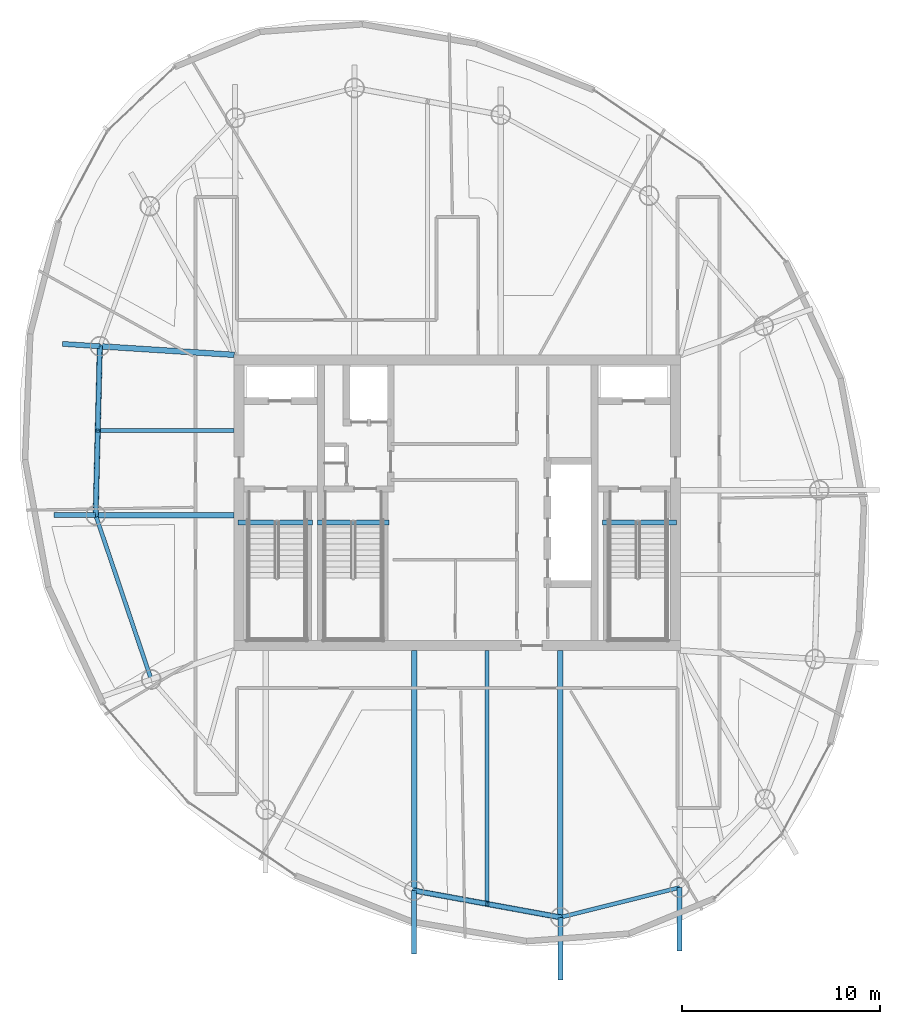
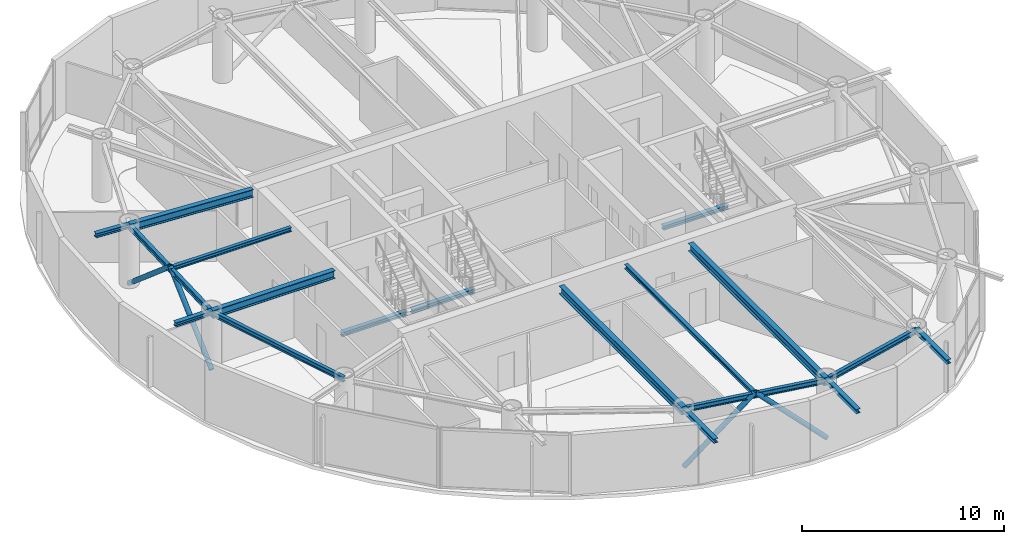
# One storey, part 4 of 16: 18 beams, 4 members.
"""IFC4 building model written with IfcOpenShell, lengths in metres."""

import ifcopenshell
import ifcopenshell.guid

model = None  # the IFC model being written
_history = None  # IfcOwnerHistory: only IFC2X3 demands one
_inside = {}  # id of a spatial element -> (the spatial element, [elements in it])
_under = {}  # id of a project, library or spatial element -> (it, [spatial elements below it])
_declared = {}  # id of a project -> (the project, [libraries it declares])
_typed = {}  # id of a type object -> (the type object, [elements of that type])
_made_of = {}  # id of a material, layer set ... -> (it, [elements and type objects made of it])


def new_model(schema):
    """Start an empty IFC model of exactly this schema.

    Asked for "IFC4X3", IfcOpenShell would pick the latest addendum, in which some entities
    have other attributes; the version numbers below select the first issue.
    IFC2X3 requires an IfcOwnerHistory on every rooted entity: one is made here for all.
    """
    global model, _history
    if schema == "IFC4X3":
        model = ifcopenshell.file(schema_version=(4, 3, 0, 0))
    else:
        model = ifcopenshell.file(schema=schema)
    _inside.clear()
    _under.clear()
    _declared.clear()
    _typed.clear()
    _made_of.clear()
    _history = None
    if model.schema == "IFC2X3":
        org = make("IfcOrganization", Name="unknown")
        user = make(
            "IfcPersonAndOrganization",
            ThePerson=make("IfcPerson", FamilyName="unknown"),
            TheOrganization=org,
        )
        app = make(
            "IfcApplication",
            ApplicationDeveloper=org,
            Version="unknown",
            ApplicationFullName="unknown",
            ApplicationIdentifier="unknown",
        )
        _history = make(
            "IfcOwnerHistory",
            OwningUser=user,
            OwningApplication=app,
            ChangeAction="ADDED",
            CreationDate=0,
        )
    return model


def make(cls, **values):
    """One entity of the class cls with the attributes given. An attribute that is None is left unset."""
    return model.create_entity(
        cls, **{name: value for name, value in values.items() if value is not None}
    )


def rooted(cls, **values):
    """An entity with a GlobalId (a new one), such as an element, a storey or a relation."""
    return make(cls, GlobalId=ifcopenshell.guid.new(), OwnerHistory=_history, **values)


def si_unit(unit_type, name, prefix=None):
    """IfcSIUnit, for example si_unit("LENGTHUNIT", "METRE", prefix="MILLI")."""
    return make("IfcSIUnit", UnitType=unit_type, Prefix=prefix, Name=name)


def assignment(units):
    """IfcUnitAssignment: the units of a project."""
    return None if units is None else make("IfcUnitAssignment", Units=units)


def point(xyz):
    """IfcCartesianPoint."""
    return None if xyz is None else make("IfcCartesianPoint", Coordinates=xyz)


def direction(xyz):
    """IfcDirection."""
    return None if xyz is None else make("IfcDirection", DirectionRatios=xyz)


def frame(location, z_axis=None, x_axis=None):
    """IfcAxis2Placement3D, a coordinate frame: its origin and axes. An axis left out is left unset."""
    return make(
        "IfcAxis2Placement3D",
        Location=point(location),
        Axis=direction(z_axis),
        RefDirection=direction(x_axis),
    )


def frame_2d(location, x_axis=None):
    """IfcAxis2Placement2D, a coordinate frame in the plane: its origin and x axis."""
    return make(
        "IfcAxis2Placement2D", Location=point(location), RefDirection=direction(x_axis)
    )


def origin():
    """The frame at (0, 0, 0) with its axes left unset."""
    return frame((0.0, 0.0, 0.0))


def origin_2d():
    """The frame at (0, 0) in the plane with its x axis left unset."""
    return frame_2d((0.0, 0.0))


def place(relative_to, where):
    """IfcLocalPlacement: puts the frame where relative to a parent placement (None: the world)."""
    return make(
        "IfcLocalPlacement", PlacementRelTo=relative_to, RelativePlacement=where
    )


def context(
    kind, dimensions, precision=None, world=None, true_north=None, identifier=None
):
    """IfcGeometricRepresentationContext, for example the 3D "Model" context."""
    return make(
        "IfcGeometricRepresentationContext",
        ContextIdentifier=identifier,
        ContextType=kind,
        CoordinateSpaceDimension=dimensions,
        Precision=precision,
        WorldCoordinateSystem=world,
        TrueNorth=true_north,
    )


def subcontext(parent, identifier, kind, view, scale=None):
    """IfcGeometricRepresentationSubContext, for example "Body" below "Model"."""
    return make(
        "IfcGeometricRepresentationSubContext",
        ContextIdentifier=identifier,
        ContextType=kind,
        ParentContext=parent,
        TargetScale=scale,
        TargetView=view,
    )


def project(units=None, contexts=None):
    """IfcProject with its units and contexts."""
    return rooted(
        "IfcProject",
        Name="project",
        RepresentationContexts=contexts,
        UnitsInContext=assignment(units),
    )


def spatial(cls, under=None, at=None, **own):
    """A site, building, storey or space (cls), placed at a placement, below another one or the project."""
    s = rooted(cls, ObjectPlacement=at, **own)
    if under is not None:
        _under.setdefault(under.id(), (under, []))[1].append(s)
    return s


def profile(cls, at=None, kind="AREA", **sizes):
    """A parametric profile (cls). Its sizes go by their IFC names, for example OverallWidth=200.0."""
    return make(cls, ProfileType=kind, Position=at, **sizes)


def hollow_circle(**sizes):
    """IfcCircleHollowProfileDef."""
    return profile("IfcCircleHollowProfileDef", **sizes)


def i_section(**sizes):
    """IfcIShapeProfileDef."""
    return profile("IfcIShapeProfileDef", **sizes)


def extrude(swept, where, along, depth):
    """IfcExtrudedAreaSolid: the profile swept, set in the frame where, extruded along a direction by depth."""
    return make(
        "IfcExtrudedAreaSolid",
        SweptArea=swept,
        Position=where,
        ExtrudedDirection=direction(along),
        Depth=depth,
    )


def shape(context_of_items, identifier, shape_type, items):
    """IfcShapeRepresentation: the items that make up one representation, for example the "Body"."""
    return make(
        "IfcShapeRepresentation",
        ContextOfItems=context_of_items,
        RepresentationIdentifier=identifier,
        RepresentationType=shape_type,
        Items=items,
    )


def material(Name=None, Category=None):
    """IfcMaterial."""
    return make("IfcMaterial", Name=Name, Category=Category)


def material_profile(
    of_material, cross_section, Name=None, Category=None, Priority=None
):
    """IfcMaterialProfile: a cross section and its material."""
    return make(
        "IfcMaterialProfile",
        Name=Name,
        Material=of_material,
        Profile=cross_section,
        Priority=Priority,
        Category=Category,
    )


def profile_set(profiles, Name=None, composite=None):
    """IfcMaterialProfileSet."""
    return make(
        "IfcMaterialProfileSet",
        Name=Name,
        MaterialProfiles=profiles,
        CompositeProfile=composite,
    )


def made_of(thing, what):
    """Note that an element or type object is made of a material, layer set ...; save() writes the relation."""
    if what is not None:
        _made_of.setdefault(what.id(), (what, []))[1].append(thing)
    return thing


def type_object(cls, material=None, **own):
    """A type object (cls), such as IfcWallType, which elements share."""
    return made_of(rooted(cls, **own), material)


def element(
    cls,
    number,
    at=None,
    inside=None,
    cuts=None,
    type_object=None,
    material=None,
    context=None,
    identifier="Body",
    shape_type=None,
    held_by="IfcProductDefinitionShape",
    body=None,
    shapes=None,
    **own,
):
    """One element of the class cls, such as IfcWall. Its Tag is "e" and its number.

    at: its placement. inside: the storey or other place that contains it. cuts: it is an
    opening in that element (IfcRelVoidsElement). A single representation is given by context,
    identifier, shape_type and body (its items); several are given by shapes. held_by: the class
    of the entity that holds the representations. save() writes the other relations.
    """
    e = rooted(cls, Tag="e%d" % number, ObjectPlacement=at, **own)
    if body is not None:
        shapes = [shape(context, identifier, shape_type, body)]
    if shapes is not None:
        e.Representation = make(held_by, Representations=shapes)
    if inside is not None:
        _inside.setdefault(inside.id(), (inside, []))[1].append(e)
    if cuts is not None:
        rooted(
            "IfcRelVoidsElement", RelatingBuildingElement=cuts, RelatedOpeningElement=e
        )
    if type_object is not None:
        _typed.setdefault(type_object.id(), (type_object, []))[1].append(e)
    return made_of(e, material)


def aggregate(whole, parts):
    """IfcRelAggregates: a whole, such as a stair, and the parts it consists of."""
    return rooted("IfcRelAggregates", RelatingObject=whole, RelatedObjects=parts)


def save(model, path):
    """Write the relations noted so far, then the file.

    IfcRelAggregates (storeys below a building ...), IfcRelContainedInSpatialStructure (elements
    in a storey), IfcRelDefinesByType, IfcRelAssociatesMaterial and IfcRelDeclares: one each for
    every whole, place, type object, material and project.
    """
    for whole, parts in _under.values():
        aggregate(whole, parts)
    for where, things in _inside.values():
        rooted(
            "IfcRelContainedInSpatialStructure",
            RelatedElements=things,
            RelatingStructure=where,
        )
    for kind, things in _typed.values():
        rooted("IfcRelDefinesByType", RelatedObjects=things, RelatingType=kind)
    for what, things in _made_of.values():
        rooted("IfcRelAssociatesMaterial", RelatedObjects=things, RelatingMaterial=what)
    for by, libraries in _declared.values():
        rooted("IfcRelDeclares", RelatingContext=by, RelatedDefinitions=libraries)
    model.write(path)


model = new_model("IFC4")

# Units and contexts
model_context = context("Model", 3, precision=1e-05, world=origin(), true_north=direction((0.0, 1.0)))
body_context = subcontext(model_context, "Body", "Model", "MODEL_VIEW")
ifc_project = project(units=[si_unit("LENGTHUNIT", "METRE"), si_unit("AREAUNIT", "SQUARE_METRE"), si_unit("VOLUMEUNIT", "CUBIC_METRE"), si_unit("PLANEANGLEUNIT", "RADIAN"), si_unit("MASSUNIT", "GRAM", prefix="KILO")], contexts=[model_context])

# Site, building, storey
site_placement = place(None, origin())
site = spatial("IfcSite", under=ifc_project, at=site_placement, CompositionType="ELEMENT")
building_placement = place(site_placement, origin())
building = spatial("IfcBuilding", under=site, at=building_placement, Name="Bramvorn Convention Spire", CompositionType="ELEMENT")
storey_placement = place(building_placement, frame((0.0, 0.0, 261.300048828125)))
storey = spatial("IfcBuildingStorey", under=building, at=storey_placement, Name="L66", CompositionType="ELEMENT", Elevation=261.300048828125)

# Beams
ifc_material = material(Name="Steel CSA G40.21 Grade 350 (350W)", Category="steel")
ifc_material_profile_1 = material_profile(ifc_material, i_section(OverallWidth=0.201904296875, OverallDepth=0.2470703125, WebThickness=0.00732421875, FlangeThickness=0.010986328125, FilletRadius=0.011962890625, at=origin_2d()))
ifc_profile_set_1 = profile_set([ifc_material_profile_1], Name="Steel CSA G40.21 Grade 350 (350W) - W250X49")
beam_type_1 = type_object("IfcBeamType", Name="BM-W250X49", PredefinedType="JOIST", material=ifc_profile_set_1)
beam_1_placement = place(storey_placement, frame((26.75, 29.626953125, 3.50146484375), z_axis=(-1.0, 0.0, 0.0), x_axis=(0.0, -1.0, 0.0)))
element("IfcBeam", 1, at=beam_1_placement, inside=storey, type_object=beam_type_1, Name="L66 composite floor joist 11", PredefinedType="JOIST", context=body_context, shape_type="SweptSolid", body=[
    extrude(i_section(OverallWidth=0.201904296875, OverallDepth=0.2470703125, WebThickness=0.00732421875, FlangeThickness=0.010986328125, FilletRadius=0.011962890625, at=origin_2d()), origin(), (0.0, 0.0, 1.0), 6.879150390625),
])
beam_2_placement = place(storey_placement, frame((39.501953125, 18.550048828125, 3.50146484375), z_axis=(0.0, -1.0, 0.0), x_axis=(1.0, 0.0, 0.0)))
element("IfcBeam", 2, at=beam_2_placement, inside=storey, type_object=beam_type_1, Name="L66 composite floor joist 15", PredefinedType="JOIST", context=body_context, shape_type="SweptSolid", body=[
    extrude(i_section(OverallWidth=0.201904296875, OverallDepth=0.2470703125, WebThickness=0.00732421875, FlangeThickness=0.010986328125, FilletRadius=0.011962890625, at=origin_2d()), origin(), (0.0, 0.0, 1.0), 12.77587890625),
])
ifc_material_profile_2 = material_profile(ifc_material, i_section(OverallWidth=0.25390625, OverallDepth=0.2529296875, WebThickness=0.008544921875, FlangeThickness=0.01416015625, FilletRadius=0.011962890625, at=origin_2d()))
ifc_profile_set_2 = profile_set([ifc_material_profile_2], Name="Steel CSA G40.21 Grade 350 (350W) - W250X73")
beam_type_2 = type_object("IfcBeamType", Name="BM-W250X73", PredefinedType="BEAM", material=ifc_profile_set_2)
beam_3_placement = place(storey_placement, frame((49.199951171875, 6.60107421875, 3.49853515625), z_axis=(0.0, -1.0, 0.0), x_axis=(1.0, 0.0, 0.0)))
element("IfcBeam", 3, at=beam_3_placement, inside=storey, type_object=beam_type_2, Name="L66 slab-edge cantilever tip beam MC01", PredefinedType="BEAM", context=body_context, shape_type="SweptSolid", body=[
    extrude(i_section(OverallWidth=0.25390625, OverallDepth=0.2529296875, WebThickness=0.008544921875, FlangeThickness=0.01416015625, FilletRadius=0.011962890625, at=origin_2d()), origin(), (0.0, 0.0, 1.0), 3.2001953125),
])
beam_4_placement = place(storey_placement, frame((19.976318359375, 33.883544921875, 3.49853515625), z_axis=(-0.997958401905, 0.063867269146, 0.0), x_axis=(-0.063867269146, -0.997958401905, 0.0)))
element("IfcBeam", 4, at=beam_4_placement, inside=storey, type_object=beam_type_2, Name="L66 slab-edge cantilever tip beam MC11", PredefinedType="BEAM", context=body_context, shape_type="SweptSolid", body=[
    extrude(i_section(OverallWidth=0.25390625, OverallDepth=0.2529296875, WebThickness=0.008544921875, FlangeThickness=0.01416015625, FilletRadius=0.011962890625, at=origin_2d()), origin(), (0.0, 0.0, 1.0), 1.888427734375),
])
beam_5_placement = place(storey_placement, frame((19.765380859375, 25.37060546875, 3.49853515625), z_axis=(-1.0, 0.0, 0.0), x_axis=(0.0, -1.0, 0.0)))
element("IfcBeam", 5, at=beam_5_placement, inside=storey, type_object=beam_type_2, Name="L66 slab-edge cantilever tip beam MC12", PredefinedType="BEAM", context=body_context, shape_type="SweptSolid", body=[
    extrude(i_section(OverallWidth=0.25390625, OverallDepth=0.2529296875, WebThickness=0.008544921875, FlangeThickness=0.01416015625, FilletRadius=0.011962890625, at=origin_2d()), origin(), (0.0, 0.0, 1.0), 2.112060546875),
])
beam_6_placement = place(storey_placement, frame((35.8154296875, 6.44921875, 3.49853515625), z_axis=(0.0, -1.0, 0.0), x_axis=(1.0, 0.0, 0.0)))
element("IfcBeam", 6, at=beam_6_placement, inside=storey, type_object=beam_type_2, Name="L66 slab-edge cantilever tip beam MC15", PredefinedType="BEAM", context=body_context, shape_type="SweptSolid", body=[
    extrude(i_section(OverallWidth=0.25390625, OverallDepth=0.2529296875, WebThickness=0.008544921875, FlangeThickness=0.01416015625, FilletRadius=0.011962890625, at=origin_2d()), origin(), (0.0, 0.0, 1.0), 3.199951171875),
])
beam_7_placement = place(storey_placement, frame((43.1884765625, 5.09912109375, 3.49853515625), z_axis=(0.0, -1.0, 0.0), x_axis=(1.0, 0.0, 0.0)))
element("IfcBeam", 7, at=beam_7_placement, inside=storey, type_object=beam_type_2, Name="L66 slab-edge cantilever tip beam MC16", PredefinedType="BEAM", context=body_context, shape_type="SweptSolid", body=[
    extrude(i_section(OverallWidth=0.25390625, OverallDepth=0.2529296875, WebThickness=0.008544921875, FlangeThickness=0.01416015625, FilletRadius=0.011962890625, at=origin_2d()), origin(), (0.0, 0.0, 1.0), 3.158203125),
])
for number, where, z_axis, x_axis, name in (
    (8, (26.949951171875, 25.010009765625, -0.12646484375), (1.0, 0.0, 0.0), (0.0, 1.0, 0.0), "L66 ST1 stair arrival header beam"),
    (9, (45.31005859375, 25.010009765625, -0.12646484375), (1.0, 0.0, 0.0), (0.0, 1.0, 0.0), "L66 ST2 stair arrival header beam"),
):
    element("IfcBeam", number, at=place(storey_placement, frame(where, z_axis=z_axis, x_axis=x_axis)), inside=storey, type_object=beam_type_2, Name=name, PredefinedType="BEAM", context=body_context, shape_type="SweptSolid", body=[
        extrude(i_section(OverallWidth=0.25390625, OverallDepth=0.2529296875, WebThickness=0.008544921875, FlangeThickness=0.01416015625, FilletRadius=0.011962890625, at=origin_2d()), origin(), (0.0, 0.0, 1.0), 3.739990234375),
    ])
beam_8_placement = place(storey_placement, frame((30.949951171875, 25.010009765625, -0.12646484375), z_axis=(1.0, 0.0, 0.0), x_axis=(0.0, 1.0, 0.0)))
element("IfcBeam", 10, at=beam_8_placement, inside=storey, type_object=beam_type_2, Name="L66 ST3 stair arrival header beam", PredefinedType="BEAM", context=body_context, shape_type="SweptSolid", body=[
    extrude(i_section(OverallWidth=0.25390625, OverallDepth=0.2529296875, WebThickness=0.008544921875, FlangeThickness=0.01416015625, FilletRadius=0.011962890625, at=origin_2d()), origin(), (0.0, 0.0, 1.0), 3.610107421875),
])
ifc_material_profile_3 = material_profile(ifc_material, i_section(OverallWidth=0.202880859375, OverallDepth=0.302978515625, WebThickness=0.007568359375, FlangeThickness=0.01318359375, FilletRadius=0.013916015625, at=origin_2d()))
ifc_profile_set_3 = profile_set([ifc_material_profile_3], Name="Steel CSA G40.21 Grade 350 (350W) - W310X60")
beam_type_3 = type_object("IfcBeamType", Name="BM-W310X60", PredefinedType="JOIST", material=ifc_profile_set_3)
beam_9_placement = place(storey_placement, frame((19.976318359375, 33.883544921875, 3.473388671875), z_axis=(-0.024770853371, -0.999693155335, 0.0), x_axis=(0.999693155335, -0.024770853371, 0.0)))
element("IfcBeam", 11, at=beam_9_placement, inside=storey, type_object=beam_type_3, Name="L66 mega-column ring beam 11", PredefinedType="JOIST", context=body_context, shape_type="SweptSolid", body=[
    extrude(i_section(OverallWidth=0.202880859375, OverallDepth=0.302978515625, WebThickness=0.007568359375, FlangeThickness=0.01318359375, FilletRadius=0.013916015625, at=origin_2d()), origin(), (0.0, 0.0, 1.0), 8.515625),
])
beam_10_placement = place(storey_placement, frame((19.765380859375, 25.37060546875, 3.473388671875), z_axis=(0.320531023763, -0.947238018032, 0.0), x_axis=(0.947238018032, 0.320531023763, 0.0)))
element("IfcBeam", 12, at=beam_10_placement, inside=storey, type_object=beam_type_3, Name="L66 mega-column ring beam 12", PredefinedType="JOIST", context=body_context, shape_type="SweptSolid", body=[
    extrude(i_section(OverallWidth=0.202880859375, OverallDepth=0.302978515625, WebThickness=0.007568359375, FlangeThickness=0.01318359375, FilletRadius=0.013916015625, at=origin_2d()), origin(), (0.0, 0.0, 1.0), 8.74169921875),
])
beam_11_placement = place(storey_placement, frame((35.8154296875, 6.44921875, 3.473388671875), z_axis=(0.983645049461, -0.180117785547, 0.0), x_axis=(0.180117785547, 0.983645049461, 0.0)))
element("IfcBeam", 13, at=beam_11_placement, inside=storey, type_object=beam_type_3, Name="L66 mega-column ring beam 15", PredefinedType="JOIST", context=body_context, shape_type="SweptSolid", body=[
    extrude(i_section(OverallWidth=0.202880859375, OverallDepth=0.302978515625, WebThickness=0.007568359375, FlangeThickness=0.01318359375, FilletRadius=0.013916015625, at=origin_2d()), origin(), (0.0, 0.0, 1.0), 7.49560546875),
])
beam_12_placement = place(storey_placement, frame((43.1884765625, 5.09912109375, 3.473388671875), z_axis=(0.970177255997, 0.24239655927, 0.0), x_axis=(-0.24239655927, 0.970177255997, 0.0)))
element("IfcBeam", 14, at=beam_12_placement, inside=storey, type_object=beam_type_3, Name="L66 mega-column ring beam 16", PredefinedType="JOIST", context=body_context, shape_type="SweptSolid", body=[
    extrude(i_section(OverallWidth=0.202880859375, OverallDepth=0.302978515625, WebThickness=0.007568359375, FlangeThickness=0.01318359375, FilletRadius=0.013916015625, at=origin_2d()), origin(), (0.0, 0.0, 1.0), 6.1962890625),
])
ifc_material_profile_4 = material_profile(ifc_material, i_section(OverallWidth=0.283935546875, OverallDepth=0.47607421875, WebThickness=0.014892578125, FlangeThickness=0.02392578125, FilletRadius=0.01806640625, at=origin_2d()))
ifc_profile_set_4 = profile_set([ifc_material_profile_4], Name="Steel CSA G40.21 Grade 350 (350W) - W460X158")
beam_type_4 = type_object("IfcBeamType", Name="BM-W460X158", PredefinedType="SPANDREL", material=ifc_profile_set_4)
beam_13_placement = place(storey_placement, frame((26.75, 33.449951171875, 3.386962890625), z_axis=(-0.997957536354, 0.063880792379, 0.0), x_axis=(-0.063880792379, -0.997957536354, 0.0)))
element("IfcBeam", 15, at=beam_13_placement, inside=storey, type_object=beam_type_4, Name="L66 radial floor girder MC11", PredefinedType="SPANDREL", context=body_context, shape_type="SweptSolid", body=[
    extrude(i_section(OverallWidth=0.283935546875, OverallDepth=0.47607421875, WebThickness=0.014892578125, FlangeThickness=0.02392578125, FilletRadius=0.01806640625, at=origin_2d()), origin(), (0.0, 0.0, 1.0), 6.78759765625),
])
beam_14_placement = place(storey_placement, frame((26.75, 25.37060546875, 3.386962890625), z_axis=(-1.0, 0.0, 0.0), x_axis=(0.0, -1.0, 0.0)))
element("IfcBeam", 16, at=beam_14_placement, inside=storey, type_object=beam_type_4, Name="L66 radial floor girder MC12", PredefinedType="SPANDREL", context=body_context, shape_type="SweptSolid", body=[
    extrude(i_section(OverallWidth=0.283935546875, OverallDepth=0.47607421875, WebThickness=0.014892578125, FlangeThickness=0.02392578125, FilletRadius=0.01806640625, at=origin_2d()), origin(), (0.0, 0.0, 1.0), 6.984619140625),
])
beam_15_placement = place(storey_placement, frame((35.8154296875, 18.550048828125, 3.386962890625), z_axis=(0.0, -1.0, 0.0), x_axis=(1.0, 0.0, 0.0)))
element("IfcBeam", 17, at=beam_15_placement, inside=storey, type_object=beam_type_4, Name="L66 radial floor girder MC15", PredefinedType="SPANDREL", context=body_context, shape_type="SweptSolid", body=[
    extrude(i_section(OverallWidth=0.283935546875, OverallDepth=0.47607421875, WebThickness=0.014892578125, FlangeThickness=0.02392578125, FilletRadius=0.01806640625, at=origin_2d()), origin(), (0.0, 0.0, 1.0), 12.100830078125),
])
beam_16_placement = place(storey_placement, frame((43.1884765625, 18.550048828125, 3.386962890625), z_axis=(0.0, -1.0, 0.0), x_axis=(1.0, 0.0, 0.0)))
element("IfcBeam", 18, at=beam_16_placement, inside=storey, type_object=beam_type_4, Name="L66 radial floor girder MC16", PredefinedType="SPANDREL", context=body_context, shape_type="SweptSolid", body=[
    extrude(i_section(OverallWidth=0.283935546875, OverallDepth=0.47607421875, WebThickness=0.014892578125, FlangeThickness=0.02392578125, FilletRadius=0.01806640625, at=origin_2d()), origin(), (0.0, 0.0, 1.0), 13.450927734375),
])

# Members
ifc_material_profile_5 = material_profile(ifc_material, hollow_circle(Radius=0.136474609375, WallThickness=0.0126953125, at=origin_2d()))
ifc_profile_set_5 = profile_set([ifc_material_profile_5], Name="Steel CSA G40.21 Grade 350 (350W) - CHS273X13")
member_type = type_object("IfcMemberType", Name="MBR-CHS273X13", PredefinedType="BRACE", material=ifc_profile_set_5)
member_1_placement = place(storey_placement, frame((19.976318359375, 33.883544921875, 0.0), z_axis=(-0.01886069185, -0.761194820373, 0.648248964319), x_axis=(0.999693172926, -0.02477014343, 0.0)))
element("IfcMember", 19, at=member_1_placement, inside=storey, type_object=member_type, Name="L66 perimeter Gothic lancet brace 11A", PredefinedType="BRACE", context=body_context, shape_type="SweptSolid", body=[
    extrude(hollow_circle(Radius=0.136474609375, WallThickness=0.0126953125, at=origin_2d()), origin(), (0.0, 0.0, 1.0), 5.592041015625),
])
member_2_placement = place(storey_placement, frame((19.765380859375, 25.37060546875, 0.0), z_axis=(0.018861318661, 0.761176457245, 0.64827050804), x_axis=(-0.999693137742, 0.024771563353, 0.0)))
element("IfcMember", 20, at=member_2_placement, inside=storey, type_object=member_type, Name="L66 perimeter Gothic lancet brace 11B", PredefinedType="BRACE", context=body_context, shape_type="SweptSolid", body=[
    extrude(hollow_circle(Radius=0.136474609375, WallThickness=0.0126953125, at=origin_2d()), origin(), (0.0, 0.0, 1.0), 5.591796875),
])
for number, where, z_axis, x_axis, name in (
    (21, (35.8154296875, 6.44921875, 0.0), (0.707030558805, -0.129466191728, 0.69523110842), (0.180117785547, 0.983645049461, 0.0), "L66 perimeter Gothic lancet brace 15A"),
    (22, (43.1884765625, 5.09912109375, 0.0), (-0.707030558805, 0.129466191728, 0.69523110842), (-0.180117785547, -0.983645049461, 0.0), "L66 perimeter Gothic lancet brace 15B"),
):
    element("IfcMember", number, at=place(storey_placement, frame(where, z_axis=z_axis, x_axis=x_axis)), inside=storey, type_object=member_type, Name=name, PredefinedType="BRACE", context=body_context, shape_type="SweptSolid", body=[
        extrude(hollow_circle(Radius=0.136474609375, WallThickness=0.0126953125, at=origin_2d()), origin(), (0.0, 0.0, 1.0), 5.214111328125),
    ])

save(model, "model.ifc")
